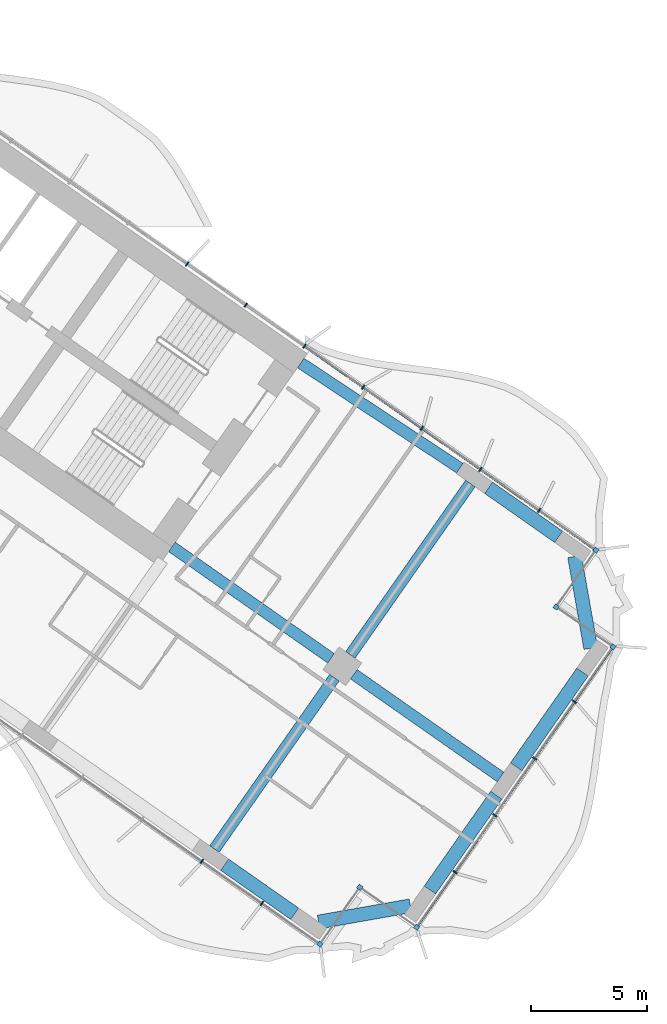
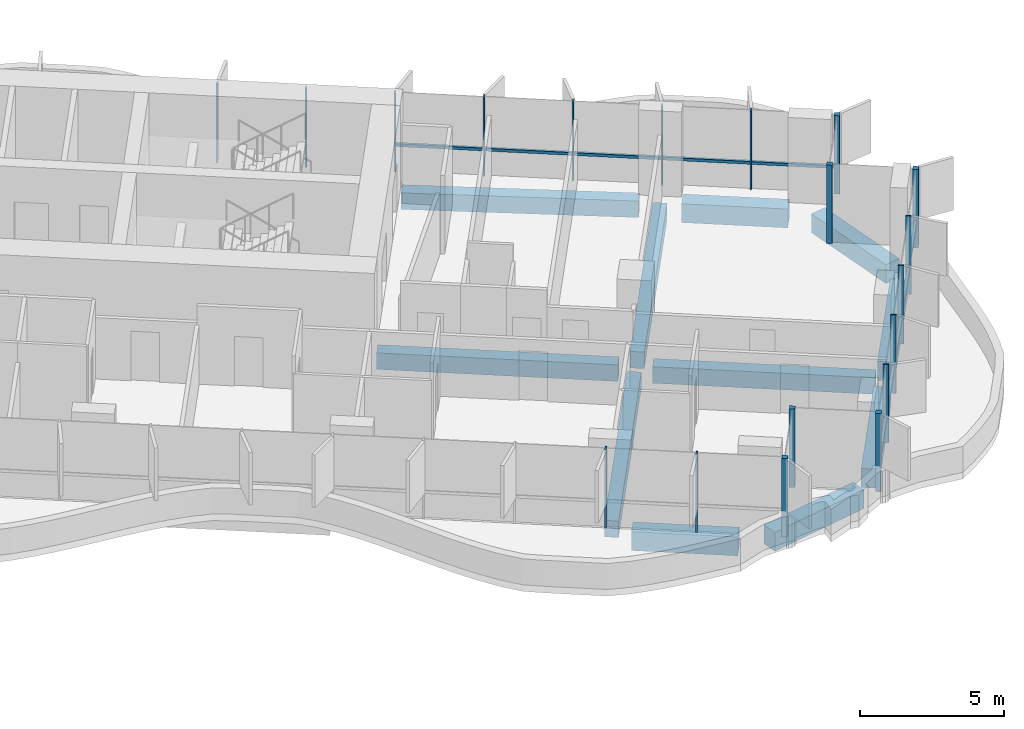
# One storey, part 9 of 23: 21 members, 11 beams, 2 elements without a shape of their own.
"""IFC4 building model written with IfcOpenShell, lengths in metres."""

from ifc_helpers import new_model, si_unit, direction, frame, origin, origin_2d, place, context, subcontext, project, spatial, rectangle, extrude, material, material_profile, profile_set, type_object, element, aggregate, save


model = new_model("IFC4")

# Units and contexts
model_context = context("Model", 3, precision=1e-05, world=origin(), true_north=direction((0.0, 1.0)))
body_context = subcontext(model_context, "Body", "Model", "MODEL_VIEW")
ifc_project = project(units=[si_unit("LENGTHUNIT", "METRE"), si_unit("AREAUNIT", "SQUARE_METRE"), si_unit("VOLUMEUNIT", "CUBIC_METRE"), si_unit("PLANEANGLEUNIT", "RADIAN"), si_unit("MASSUNIT", "GRAM", prefix="KILO")], contexts=[model_context])

# Site, building, storey
site_placement = place(None, origin())
site = spatial("IfcSite", under=ifc_project, at=site_placement, CompositionType="ELEMENT")
building_placement = place(site_placement, origin())
building = spatial("IfcBuilding", under=site, at=building_placement, Name="Tel Ilan Convention Tower", CompositionType="ELEMENT")
storey_placement = place(building_placement, frame((0.0, 0.0, 101.300048828125)))
storey = spatial("IfcBuildingStorey", under=building, at=storey_placement, Name="L21", CompositionType="ELEMENT", Elevation=101.300048828125)

# Beams
ifc_material_1 = material(Name="Concrete C40/50", Category="concrete")
ifc_material_profile_1 = material_profile(ifc_material_1, rectangle(XDim=0.5, YDim=0.699951171875, at=origin_2d()), Name="RC 500x700")
ifc_profile_set_1 = profile_set([ifc_material_profile_1], Name="Concrete C40/50")
beam_type_1 = type_object("IfcBeamType", Name="Beam RC 500x700 Concrete C40/50", PredefinedType="BEAM", material=ifc_profile_set_1)
beam_1_placement = place(storey_placement, frame((34.570556640625, -12.08447265625, -0.630126953125), z_axis=(-0.834273603487, 0.551350663847, 0.0), x_axis=(-0.551350663847, -0.834273603487, 0.0)))
element("IfcBeam", 1, at=beam_1_placement, inside=storey, type_object=beam_type_1, Name="L21 beam E-E-B4-core", PredefinedType="BEAM", context=body_context, shape_type="SweptSolid", body=[
    extrude(rectangle(XDim=0.5, YDim=0.699951171875, at=origin_2d()), origin(), (0.0, 0.0, 1.0), 8.2529296875),
])
beam_2_placement = place(storey_placement, frame((22.1171875, -15.486572265625, -0.630126953125), z_axis=(0.819147254605, -0.573583276668, 0.0), x_axis=(0.573583276668, 0.819147254605, 0.0)))
element("IfcBeam", 2, at=beam_2_placement, inside=storey, type_object=beam_type_1, Name="L21 beam E-core-E-M4", PredefinedType="BEAM", context=body_context, shape_type="SweptSolid", body=[
    extrude(rectangle(XDim=0.5, YDim=0.699951171875, at=origin_2d()), origin(), (0.0, 0.0, 1.0), 8.400146484375),
])
beam_3_placement = place(storey_placement, frame((29.98095703125, -20.992919921875, -0.630126953125), z_axis=(0.819159394801, -0.573565938589, 0.0), x_axis=(0.573565938589, 0.819159394801, 0.0)))
element("IfcBeam", 3, at=beam_3_placement, inside=storey, type_object=beam_type_1, Name="L21 beam E-E-M4-end", PredefinedType="BEAM", context=body_context, shape_type="SweptSolid", body=[
    extrude(rectangle(XDim=0.5, YDim=0.699951171875, at=origin_2d()), origin(), (0.0, 0.0, 1.0), 7.75),
])
for number, where, z_axis, x_axis, name in (
    (4, (29.145263671875, -21.14013671875, -0.630126953125), (-0.573549245583, -0.819171082798, 0.0), (0.819171082798, -0.573549245583, 0.0), "L21 beam E-E-M4-E-F4"),
    (5, (29.83349609375, -20.1572265625, -0.630126953125), (0.57358002233, 0.819149533348, 0.0), (-0.819149533348, 0.57358002233, 0.0), "L21 beam E-E-M4-E-B4"),
):
    element("IfcBeam", number, at=place(storey_placement, frame(where, z_axis=z_axis, x_axis=x_axis)), inside=storey, type_object=beam_type_1, Name=name, PredefinedType="BEAM", context=body_context, shape_type="SweptSolid", body=[
        extrude(rectangle(XDim=0.5, YDim=0.699951171875, at=origin_2d()), origin(), (0.0, 0.0, 1.0), 9.050048828125),
    ])
ifc_material_2 = material(Name="Concrete C40/50", Category="concrete")
ifc_material_profile_2 = material_profile(ifc_material_2, rectangle(XDim=0.60009765625, YDim=0.800048828125, at=origin_2d()), Name="RC 600x800")
ifc_profile_set_2 = profile_set([ifc_material_profile_2], Name="Concrete C40/50")
beam_type_2 = type_object("IfcBeamType", Name="Beam RC 600x800 Concrete C40/50", PredefinedType="BEAM", material=ifc_profile_set_2)
beam_4_placement = place(storey_placement, frame((24.396728515625, -29.2294921875, -0.679931640625), z_axis=(0.819132709951, -0.573604047656, 0.0), x_axis=(0.573604047656, 0.819132709951, 0.0)))
element("IfcBeam", 6, at=beam_4_placement, inside=storey, type_object=beam_type_2, Name="L21 beam E-E-F4-E-FC", PredefinedType="BEAM", context=body_context, shape_type="SweptSolid", body=[
    extrude(rectangle(XDim=0.60009765625, YDim=0.800048828125, at=origin_2d()), origin(), (0.0, 0.0, 1.0), 3.699951171875),
])
beam_5_placement = place(storey_placement, frame((28.459716796875, -31.708251953125, -0.679931640625), z_axis=(0.984806721117, 0.173654029734, 0.0), x_axis=(-0.173654029734, 0.984806721117, 0.0)))
element("IfcBeam", 7, at=beam_5_placement, inside=storey, type_object=beam_type_2, Name="L21 beam E-E-FC-E-E1", PredefinedType="BEAM", context=body_context, shape_type="SweptSolid", body=[
    extrude(rectangle(XDim=0.60009765625, YDim=0.800048828125, at=origin_2d()), origin(), (0.0, 0.0, 1.0), 4.03076171875),
])
for number, where, z_axis, x_axis, name in (
    (8, (33.277099609375, -30.3203125, -0.679931640625), (0.573586866468, 0.819144740944, 0.0), (-0.819144740944, 0.573586866468, 0.0), "L21 beam E-E-E1-E-E2"),
    (9, (37.00537109375, -24.995849609375, -0.679931640625), (0.573586866468, 0.819144740944, 0.0), (-0.819144740944, 0.573586866468, 0.0), "L21 beam E-E-E2-E-E3"),
):
    element("IfcBeam", number, at=place(storey_placement, frame(where, z_axis=z_axis, x_axis=x_axis)), inside=storey, type_object=beam_type_2, Name=name, PredefinedType="BEAM", context=body_context, shape_type="SweptSolid", body=[
        extrude(rectangle(XDim=0.60009765625, YDim=0.800048828125, at=origin_2d()), origin(), (0.0, 0.0, 1.0), 5.0),
    ])
beam_6_placement = place(storey_placement, frame((40.229736328125, -19.867919921875, -0.679931640625), z_axis=(-0.173664388751, 0.984804894423, 0.0), x_axis=(-0.984804894423, -0.173664388751, 0.0)))
element("IfcBeam", 10, at=beam_6_placement, inside=storey, type_object=beam_type_2, Name="L21 beam E-E-E3-E-BC", PredefinedType="BEAM", context=body_context, shape_type="SweptSolid", body=[
    extrude(rectangle(XDim=0.60009765625, YDim=0.800048828125, at=origin_2d()), origin(), (0.0, 0.0, 1.0), 4.030517578125),
])
beam_7_placement = place(storey_placement, frame((38.841796875, -15.050537109375, -0.679931640625), z_axis=(-0.819185419371, 0.573528768842, 0.0), x_axis=(-0.573528768842, -0.819185419371, 0.0)))
element("IfcBeam", 11, at=beam_7_placement, inside=storey, type_object=beam_type_2, Name="L21 beam E-E-BC-E-B4", PredefinedType="BEAM", context=body_context, shape_type="SweptSolid", body=[
    extrude(rectangle(XDim=0.60009765625, YDim=0.800048828125, at=origin_2d()), origin(), (0.0, 0.0, 1.0), 3.699951171875),
])

# Curtain wall, members
ifc_material_3 = material(Name="Aluminium, bronze anodised", Category="aluminium")
curtain_wall_type_1 = type_object("IfcCurtainWallType", Name="CW1 UNITISED CURTAIN WALL, HOTEL TINTED GLASS", PredefinedType="NOTDEFINED", material=ifc_material_3)
curtain_wall_1_placement = place(storey_placement, origin())
curtain_wall_1 = element("IfcCurtainWall", 12, at=curtain_wall_1_placement, inside=storey, type_object=curtain_wall_type_1, Name="Curtain wall CW1-19.02", PredefinedType="NOTDEFINED")
ifc_material_4 = material(Name="Aluminium, bronze anodised", Category="aluminium")
ifc_material_profile_3 = material_profile(ifc_material_4, rectangle(XDim=0.199951171875, YDim=0.199951171875, at=origin_2d()), Name="CW CORNER MULLION 200x200")
ifc_profile_set_3 = profile_set([ifc_material_profile_3], Name="Aluminium, bronze anodised")
member_type_1 = type_object("IfcMemberType", Name="CW CORNER MULLION 200x200", PredefinedType="MULLION", material=ifc_profile_set_3)
member_1_placement = place(storey_placement, frame((28.52099609375, -32.666748046875, 0.0), z_axis=(0.0, 0.0, 1.0), x_axis=(0.819152044289, -0.573576436351, 0.0)))
member_1 = element("IfcMember", 13, at=member_1_placement, type_object=member_type_1, Name="Corner mullion", PredefinedType="MULLION", context=body_context, shape_type="SweptSolid", body=[
    extrude(rectangle(XDim=0.199951171875, YDim=0.199951171875, at=origin_2d()), origin(), (0.0, 0.0, 1.0), 3.320068359375),
])
member_2_placement = place(storey_placement, frame((30.241943359375, -30.209228515625, 0.0), z_axis=(0.0, 0.0, 1.0), x_axis=(0.573576436351, 0.819152044289, 0.0)))
member_2 = element("IfcMember", 14, at=member_2_placement, type_object=member_type_1, Name="Corner mullion", PredefinedType="MULLION", context=body_context, shape_type="SweptSolid", body=[
    extrude(rectangle(XDim=0.199951171875, YDim=0.199951171875, at=origin_2d()), origin(), (0.0, 0.0, 1.0), 3.320068359375),
])
member_3_placement = place(storey_placement, frame((32.69921875, -31.929931640625, 0.0), z_axis=(0.0, 0.0, 1.0), x_axis=(0.819152044289, -0.573576436351, 0.0)))
member_3 = element("IfcMember", 15, at=member_3_placement, type_object=member_type_1, Name="Corner mullion", PredefinedType="MULLION", context=body_context, shape_type="SweptSolid", body=[
    extrude(rectangle(XDim=0.199951171875, YDim=0.199951171875, at=origin_2d()), origin(), (0.0, 0.0, 1.0), 3.320068359375),
])
member_4_placement = place(storey_placement, frame((41.188232421875, -19.806640625, 0.0), z_axis=(0.0, 0.0, 1.0), x_axis=(0.573576436351, 0.819152044289, 0.0)))
member_4 = element("IfcMember", 16, at=member_4_placement, type_object=member_type_1, Name="Corner mullion", PredefinedType="MULLION", context=body_context, shape_type="SweptSolid", body=[
    extrude(rectangle(XDim=0.199951171875, YDim=0.199951171875, at=origin_2d()), origin(), (0.0, 0.0, 1.0), 3.320068359375),
])
member_5_placement = place(storey_placement, frame((38.730712890625, -18.0859375, 0.0), z_axis=(0.0, 0.0, 1.0), x_axis=(-0.819152044289, 0.573576436351, 0.0)))
member_5 = element("IfcMember", 17, at=member_5_placement, type_object=member_type_1, Name="Corner mullion", PredefinedType="MULLION", context=body_context, shape_type="SweptSolid", body=[
    extrude(rectangle(XDim=0.199951171875, YDim=0.199951171875, at=origin_2d()), origin(), (0.0, 0.0, 1.0), 3.320068359375),
])
member_6_placement = place(storey_placement, frame((40.451416015625, -15.62841796875, 0.0), z_axis=(0.0, 0.0, 1.0), x_axis=(0.573576436351, 0.819152044289, 0.0)))
member_6 = element("IfcMember", 18, at=member_6_placement, type_object=member_type_1, Name="Corner mullion", PredefinedType="MULLION", context=body_context, shape_type="SweptSolid", body=[
    extrude(rectangle(XDim=0.199951171875, YDim=0.199951171875, at=origin_2d()), origin(), (0.0, 0.0, 1.0), 3.320068359375),
])

ifc_material_5 = material(Name="Aluminium, bronze anodised", Category="aluminium")
curtain_wall_type_2 = type_object("IfcCurtainWallType", Name="CW2 STICK CURTAIN WALL, SPANDREL PANELS", PredefinedType="NOTDEFINED", material=ifc_material_5)
curtain_wall_2_placement = place(storey_placement, origin())
curtain_wall_2 = element("IfcCurtainWall", 19, at=curtain_wall_2_placement, inside=storey, type_object=curtain_wall_type_2, Name="Curtain wall CW2-19.01", PredefinedType="NOTDEFINED")
ifc_material_6 = material(Name="Aluminium, bronze anodised", Category="aluminium")
ifc_material_profile_4 = material_profile(ifc_material_6, rectangle(XDim=0.06005859375, YDim=0.199951171875, at=origin_2d()), Name="CW MULLION 60x200")
ifc_profile_set_4 = profile_set([ifc_material_profile_4], Name="Aluminium, bronze anodised")
member_type_2 = type_object("IfcMemberType", Name="CW MULLION 60x200", PredefinedType="MULLION", material=ifc_profile_set_4)
member_7_placement = place(storey_placement, frame((27.848876953125, -6.803955078125, 0.0), z_axis=(0.0, 0.0, 1.0), x_axis=(-0.819152044289, 0.573576436351, 0.0)))
member_7 = element("IfcMember", 20, at=member_7_placement, type_object=member_type_2, Name="Mullion", PredefinedType="MULLION", context=body_context, shape_type="SweptSolid", body=[
    extrude(rectangle(XDim=0.06005859375, YDim=0.199951171875, at=origin_2d()), origin(), (0.0, 0.0, 1.0), 3.320068359375),
])
member_8_placement = place(storey_placement, frame((25.311767578125, -5.027587890625, 0.0), z_axis=(0.0, 0.0, 1.0), x_axis=(-0.819152044289, 0.573576436351, 0.0)))
member_8 = element("IfcMember", 21, at=member_8_placement, type_object=member_type_2, Name="Mullion", PredefinedType="MULLION", context=body_context, shape_type="SweptSolid", body=[
    extrude(rectangle(XDim=0.06005859375, YDim=0.199951171875, at=origin_2d()), origin(), (0.0, 0.0, 1.0), 3.320068359375),
])
member_9_placement = place(storey_placement, frame((22.77490234375, -3.251220703125, 0.0), z_axis=(0.0, 0.0, 1.0), x_axis=(-0.819152044289, 0.573576436351, 0.0)))
member_9 = element("IfcMember", 22, at=member_9_placement, type_object=member_type_2, Name="Mullion", PredefinedType="MULLION", context=body_context, shape_type="SweptSolid", body=[
    extrude(rectangle(XDim=0.06005859375, YDim=0.199951171875, at=origin_2d()), origin(), (0.0, 0.0, 1.0), 3.320068359375),
])
aggregate(curtain_wall_2, [member_7, member_8, member_9])

# Member
member_10_placement = place(storey_placement, frame((23.412841796875, -29.08984375, 0.0), z_axis=(0.0, 0.0, 1.0), x_axis=(0.819152044289, -0.573576436351, 0.0)))
member_10 = element("IfcMember", 23, at=member_10_placement, type_object=member_type_2, Name="Mullion", PredefinedType="MULLION", context=body_context, shape_type="SweptSolid", body=[
    extrude(rectangle(XDim=0.06005859375, YDim=0.199951171875, at=origin_2d()), origin(), (0.0, 0.0, 1.0), 3.320068359375),
])

member_11_placement = place(storey_placement, frame((26.008056640625, -30.906982421875, 0.0), z_axis=(0.0, 0.0, 1.0), x_axis=(0.819152044289, -0.573576436351, 0.0)))
member_11 = element("IfcMember", 24, at=member_11_placement, type_object=member_type_2, Name="Mullion", PredefinedType="MULLION", context=body_context, shape_type="SweptSolid", body=[
    extrude(rectangle(XDim=0.06005859375, YDim=0.199951171875, at=origin_2d()), origin(), (0.0, 0.0, 1.0), 3.320068359375),
])

member_12_placement = place(storey_placement, frame((34.362548828125, -29.554443359375, 0.0), z_axis=(0.0, 0.0, 1.0), x_axis=(0.573576436351, 0.819152044289, 0.0)))
member_12 = element("IfcMember", 25, at=member_12_placement, type_object=member_type_2, Name="Mullion", PredefinedType="MULLION", context=body_context, shape_type="SweptSolid", body=[
    extrude(rectangle(XDim=0.06005859375, YDim=0.199951171875, at=origin_2d()), origin(), (0.0, 0.0, 1.0), 3.320068359375),
])

member_13_placement = place(storey_placement, frame((36.08349609375, -27.096923828125, 0.0), z_axis=(0.0, 0.0, 1.0), x_axis=(0.573576436351, 0.819152044289, 0.0)))
member_13 = element("IfcMember", 26, at=member_13_placement, type_object=member_type_2, Name="Mullion", PredefinedType="MULLION", context=body_context, shape_type="SweptSolid", body=[
    extrude(rectangle(XDim=0.06005859375, YDim=0.199951171875, at=origin_2d()), origin(), (0.0, 0.0, 1.0), 3.320068359375),
])

member_14_placement = place(storey_placement, frame((37.80419921875, -24.6396484375, 0.0), z_axis=(0.0, 0.0, 1.0), x_axis=(0.573576436351, 0.819152044289, 0.0)))
member_14 = element("IfcMember", 27, at=member_14_placement, type_object=member_type_2, Name="Mullion", PredefinedType="MULLION", context=body_context, shape_type="SweptSolid", body=[
    extrude(rectangle(XDim=0.06005859375, YDim=0.199951171875, at=origin_2d()), origin(), (0.0, 0.0, 1.0), 3.320068359375),
])

member_15_placement = place(storey_placement, frame((39.52490234375, -22.18212890625, 0.0), z_axis=(0.0, 0.0, 1.0), x_axis=(0.573576436351, 0.819152044289, 0.0)))
member_15 = element("IfcMember", 28, at=member_15_placement, type_object=member_type_2, Name="Mullion", PredefinedType="MULLION", context=body_context, shape_type="SweptSolid", body=[
    extrude(rectangle(XDim=0.06005859375, YDim=0.199951171875, at=origin_2d()), origin(), (0.0, 0.0, 1.0), 3.320068359375),
])

member_16_placement = place(storey_placement, frame((37.99658203125, -13.909423828125, 0.0), z_axis=(0.0, 0.0, 1.0), x_axis=(-0.819152044289, 0.573576436351, 0.0)))
member_16 = element("IfcMember", 29, at=member_16_placement, type_object=member_type_2, Name="Mullion", PredefinedType="MULLION", context=body_context, shape_type="SweptSolid", body=[
    extrude(rectangle(XDim=0.06005859375, YDim=0.199951171875, at=origin_2d()), origin(), (0.0, 0.0, 1.0), 3.320068359375),
])

member_17_placement = place(storey_placement, frame((35.45947265625, -12.133056640625, 0.0), z_axis=(0.0, 0.0, 1.0), x_axis=(-0.819152044289, 0.573576436351, 0.0)))
member_17 = element("IfcMember", 30, at=member_17_placement, type_object=member_type_2, Name="Mullion", PredefinedType="MULLION", context=body_context, shape_type="SweptSolid", body=[
    extrude(rectangle(XDim=0.06005859375, YDim=0.199951171875, at=origin_2d()), origin(), (0.0, 0.0, 1.0), 3.320068359375),
])

member_18_placement = place(storey_placement, frame((32.922607421875, -10.356689453125, 0.0), z_axis=(0.0, 0.0, 1.0), x_axis=(-0.819152044289, 0.573576436351, 0.0)))
member_18 = element("IfcMember", 31, at=member_18_placement, type_object=member_type_2, Name="Mullion", PredefinedType="MULLION", context=body_context, shape_type="SweptSolid", body=[
    extrude(rectangle(XDim=0.06005859375, YDim=0.199951171875, at=origin_2d()), origin(), (0.0, 0.0, 1.0), 3.320068359375),
])

member_19_placement = place(storey_placement, frame((30.3857421875, -8.580322265625, 0.0), z_axis=(0.0, 0.0, 1.0), x_axis=(-0.819152044289, 0.573576436351, 0.0)))
member_19 = element("IfcMember", 32, at=member_19_placement, type_object=member_type_2, Name="Mullion", PredefinedType="MULLION", context=body_context, shape_type="SweptSolid", body=[
    extrude(rectangle(XDim=0.06005859375, YDim=0.199951171875, at=origin_2d()), origin(), (0.0, 0.0, 1.0), 3.320068359375),
])

ifc_material_7 = material(Name="Aluminium, bronze anodised", Category="aluminium")
ifc_material_profile_5 = material_profile(ifc_material_7, rectangle(XDim=0.10009765625, YDim=0.1201171875, at=origin_2d()), Name="CW TRANSOM 100x120")
ifc_profile_set_5 = profile_set([ifc_material_profile_5], Name="Aluminium, bronze anodised")
member_type_3 = type_object("IfcMemberType", Name="CW TRANSOM 100x120", PredefinedType="USERDEFINED", material=ifc_profile_set_5)
member_20_placement = place(storey_placement, frame((32.756591796875, -31.84814453125, 1.099853515625), z_axis=(0.573575688231, 0.819152568128, 0.0), x_axis=(-0.819152568128, 0.573575688231, 0.0)))
member_20 = element("IfcMember", 33, at=member_20_placement, type_object=member_type_3, Name="Transom", ObjectType="TRANSOM", PredefinedType="USERDEFINED", context=body_context, shape_type="SweptSolid", body=[
    extrude(rectangle(XDim=0.10009765625, YDim=0.1201171875, at=origin_2d()), origin(), (0.0, 0.0, 1.0), 14.60009765625),
])

member_21_placement = place(storey_placement, frame((40.36962890625, -15.571044921875, 1.099853515625), z_axis=(-0.819152967985, 0.573575117174, 0.0), x_axis=(-0.573575117174, -0.819152967985, 0.0)))
member_21 = element("IfcMember", 34, at=member_21_placement, type_object=member_type_3, Name="Transom", ObjectType="TRANSOM", PredefinedType="USERDEFINED", context=body_context, shape_type="SweptSolid", body=[
    extrude(rectangle(XDim=0.10009765625, YDim=0.1201171875, at=origin_2d()), origin(), (0.0, 0.0, 1.0), 15.255126953125),
])

aggregate(curtain_wall_1, [member_10, member_11, member_1, member_2, member_3, member_12, member_13, member_14, member_15, member_4, member_20, member_5, member_6, member_16, member_17, member_18, member_19, member_21])

save(model, "model.ifc")
